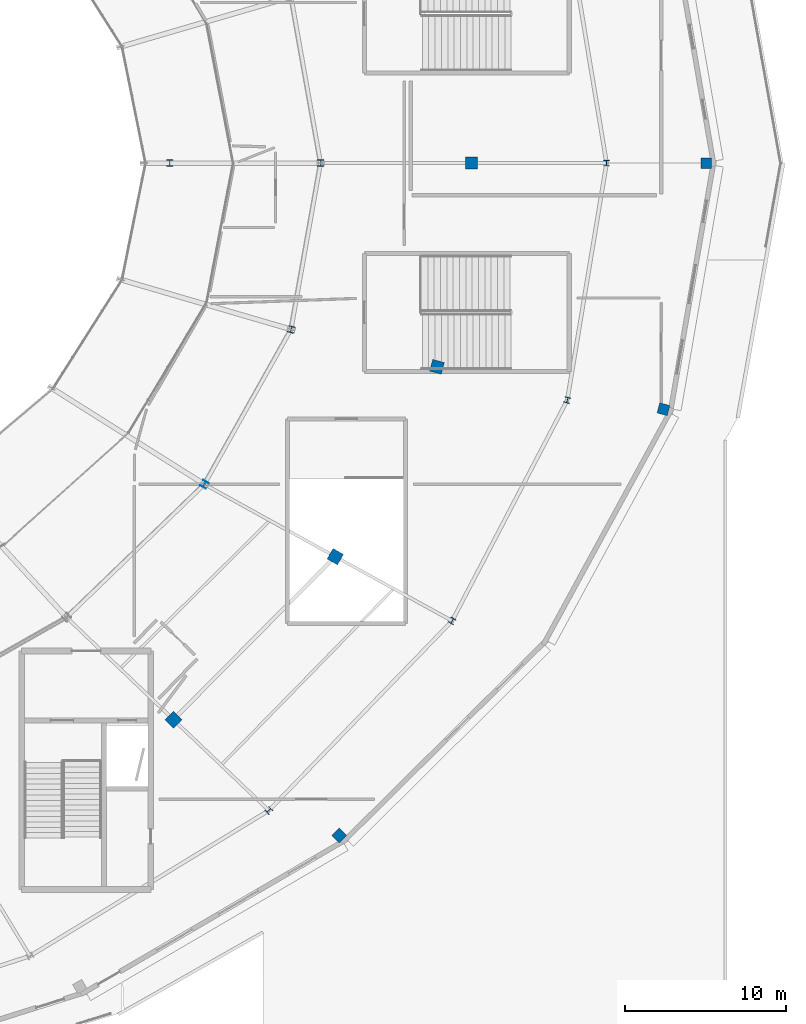
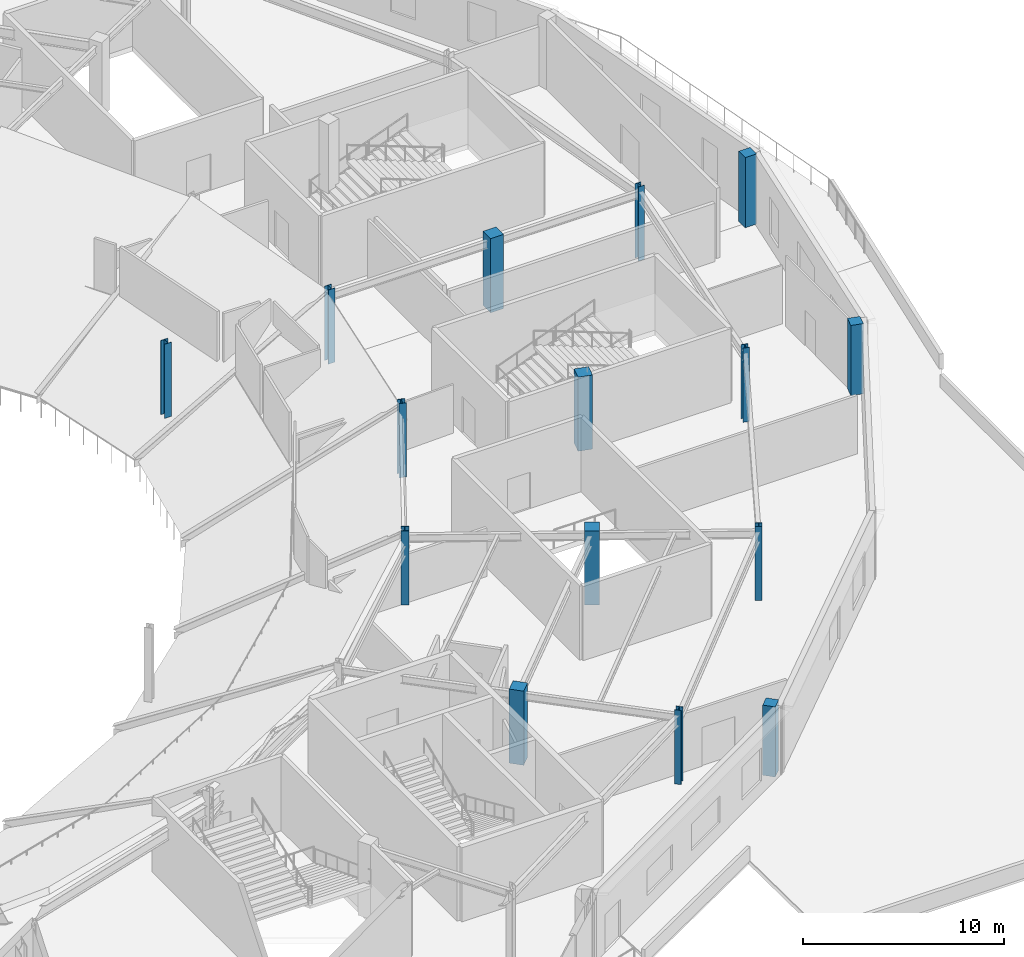
# One storey, part 11 of 63: 15 columns.
"""IFC4 building model written with IfcOpenShell, lengths in metres."""

import ifcopenshell
import ifcopenshell.guid

model = None  # the IFC model being written
_history = None  # IfcOwnerHistory: only IFC2X3 demands one
_inside = {}  # id of a spatial element -> (the spatial element, [elements in it])
_under = {}  # id of a project, library or spatial element -> (it, [spatial elements below it])
_declared = {}  # id of a project -> (the project, [libraries it declares])
_typed = {}  # id of a type object -> (the type object, [elements of that type])
_made_of = {}  # id of a material, layer set ... -> (it, [elements and type objects made of it])


def new_model(schema):
    """Start an empty IFC model of exactly this schema.

    Asked for "IFC4X3", IfcOpenShell would pick the latest addendum, in which some entities
    have other attributes; the version numbers below select the first issue.
    IFC2X3 requires an IfcOwnerHistory on every rooted entity: one is made here for all.
    """
    global model, _history
    if schema == "IFC4X3":
        model = ifcopenshell.file(schema_version=(4, 3, 0, 0))
    else:
        model = ifcopenshell.file(schema=schema)
    _inside.clear()
    _under.clear()
    _declared.clear()
    _typed.clear()
    _made_of.clear()
    _history = None
    if model.schema == "IFC2X3":
        org = make("IfcOrganization", Name="unknown")
        user = make(
            "IfcPersonAndOrganization",
            ThePerson=make("IfcPerson", FamilyName="unknown"),
            TheOrganization=org,
        )
        app = make(
            "IfcApplication",
            ApplicationDeveloper=org,
            Version="unknown",
            ApplicationFullName="unknown",
            ApplicationIdentifier="unknown",
        )
        _history = make(
            "IfcOwnerHistory",
            OwningUser=user,
            OwningApplication=app,
            ChangeAction="ADDED",
            CreationDate=0,
        )
    return model


def make(cls, **values):
    """One entity of the class cls with the attributes given. An attribute that is None is left unset."""
    return model.create_entity(
        cls, **{name: value for name, value in values.items() if value is not None}
    )


def rooted(cls, **values):
    """An entity with a GlobalId (a new one), such as an element, a storey or a relation."""
    return make(cls, GlobalId=ifcopenshell.guid.new(), OwnerHistory=_history, **values)


def si_unit(unit_type, name, prefix=None):
    """IfcSIUnit, for example si_unit("LENGTHUNIT", "METRE", prefix="MILLI")."""
    return make("IfcSIUnit", UnitType=unit_type, Prefix=prefix, Name=name)


def assignment(units):
    """IfcUnitAssignment: the units of a project."""
    return None if units is None else make("IfcUnitAssignment", Units=units)


def point(xyz):
    """IfcCartesianPoint."""
    return None if xyz is None else make("IfcCartesianPoint", Coordinates=xyz)


def direction(xyz):
    """IfcDirection."""
    return None if xyz is None else make("IfcDirection", DirectionRatios=xyz)


def frame(location, z_axis=None, x_axis=None):
    """IfcAxis2Placement3D, a coordinate frame: its origin and axes. An axis left out is left unset."""
    return make(
        "IfcAxis2Placement3D",
        Location=point(location),
        Axis=direction(z_axis),
        RefDirection=direction(x_axis),
    )


def frame_2d(location, x_axis=None):
    """IfcAxis2Placement2D, a coordinate frame in the plane: its origin and x axis."""
    return make(
        "IfcAxis2Placement2D", Location=point(location), RefDirection=direction(x_axis)
    )


def origin():
    """The frame at (0, 0, 0) with its axes left unset."""
    return frame((0.0, 0.0, 0.0))


def origin_2d():
    """The frame at (0, 0) in the plane with its x axis left unset."""
    return frame_2d((0.0, 0.0))


def place(relative_to, where):
    """IfcLocalPlacement: puts the frame where relative to a parent placement (None: the world)."""
    return make(
        "IfcLocalPlacement", PlacementRelTo=relative_to, RelativePlacement=where
    )


def context(
    kind, dimensions, precision=None, world=None, true_north=None, identifier=None
):
    """IfcGeometricRepresentationContext, for example the 3D "Model" context."""
    return make(
        "IfcGeometricRepresentationContext",
        ContextIdentifier=identifier,
        ContextType=kind,
        CoordinateSpaceDimension=dimensions,
        Precision=precision,
        WorldCoordinateSystem=world,
        TrueNorth=true_north,
    )


def subcontext(parent, identifier, kind, view, scale=None):
    """IfcGeometricRepresentationSubContext, for example "Body" below "Model"."""
    return make(
        "IfcGeometricRepresentationSubContext",
        ContextIdentifier=identifier,
        ContextType=kind,
        ParentContext=parent,
        TargetScale=scale,
        TargetView=view,
    )


def project(units=None, contexts=None):
    """IfcProject with its units and contexts."""
    return rooted(
        "IfcProject",
        Name="project",
        RepresentationContexts=contexts,
        UnitsInContext=assignment(units),
    )


def spatial(cls, under=None, at=None, **own):
    """A site, building, storey or space (cls), placed at a placement, below another one or the project."""
    s = rooted(cls, ObjectPlacement=at, **own)
    if under is not None:
        _under.setdefault(under.id(), (under, []))[1].append(s)
    return s


def profile(cls, at=None, kind="AREA", **sizes):
    """A parametric profile (cls). Its sizes go by their IFC names, for example OverallWidth=200.0."""
    return make(cls, ProfileType=kind, Position=at, **sizes)


def rectangle(**sizes):
    """IfcRectangleProfileDef."""
    return profile("IfcRectangleProfileDef", **sizes)


def i_section(**sizes):
    """IfcIShapeProfileDef."""
    return profile("IfcIShapeProfileDef", **sizes)


def extrude(swept, where, along, depth):
    """IfcExtrudedAreaSolid: the profile swept, set in the frame where, extruded along a direction by depth."""
    return make(
        "IfcExtrudedAreaSolid",
        SweptArea=swept,
        Position=where,
        ExtrudedDirection=direction(along),
        Depth=depth,
    )


def shape(context_of_items, identifier, shape_type, items):
    """IfcShapeRepresentation: the items that make up one representation, for example the "Body"."""
    return make(
        "IfcShapeRepresentation",
        ContextOfItems=context_of_items,
        RepresentationIdentifier=identifier,
        RepresentationType=shape_type,
        Items=items,
    )


def material(Name=None, Category=None):
    """IfcMaterial."""
    return make("IfcMaterial", Name=Name, Category=Category)


def material_profile(
    of_material, cross_section, Name=None, Category=None, Priority=None
):
    """IfcMaterialProfile: a cross section and its material."""
    return make(
        "IfcMaterialProfile",
        Name=Name,
        Material=of_material,
        Profile=cross_section,
        Priority=Priority,
        Category=Category,
    )


def profile_set(profiles, Name=None, composite=None):
    """IfcMaterialProfileSet."""
    return make(
        "IfcMaterialProfileSet",
        Name=Name,
        MaterialProfiles=profiles,
        CompositeProfile=composite,
    )


def made_of(thing, what):
    """Note that an element or type object is made of a material, layer set ...; save() writes the relation."""
    if what is not None:
        _made_of.setdefault(what.id(), (what, []))[1].append(thing)
    return thing


def type_object(cls, material=None, **own):
    """A type object (cls), such as IfcWallType, which elements share."""
    return made_of(rooted(cls, **own), material)


def element(
    cls,
    number,
    at=None,
    inside=None,
    cuts=None,
    type_object=None,
    material=None,
    context=None,
    identifier="Body",
    shape_type=None,
    held_by="IfcProductDefinitionShape",
    body=None,
    shapes=None,
    **own,
):
    """One element of the class cls, such as IfcWall. Its Tag is "e" and its number.

    at: its placement. inside: the storey or other place that contains it. cuts: it is an
    opening in that element (IfcRelVoidsElement). A single representation is given by context,
    identifier, shape_type and body (its items); several are given by shapes. held_by: the class
    of the entity that holds the representations. save() writes the other relations.
    """
    e = rooted(cls, Tag="e%d" % number, ObjectPlacement=at, **own)
    if body is not None:
        shapes = [shape(context, identifier, shape_type, body)]
    if shapes is not None:
        e.Representation = make(held_by, Representations=shapes)
    if inside is not None:
        _inside.setdefault(inside.id(), (inside, []))[1].append(e)
    if cuts is not None:
        rooted(
            "IfcRelVoidsElement", RelatingBuildingElement=cuts, RelatedOpeningElement=e
        )
    if type_object is not None:
        _typed.setdefault(type_object.id(), (type_object, []))[1].append(e)
    return made_of(e, material)


def aggregate(whole, parts):
    """IfcRelAggregates: a whole, such as a stair, and the parts it consists of."""
    return rooted("IfcRelAggregates", RelatingObject=whole, RelatedObjects=parts)


def save(model, path):
    """Write the relations noted so far, then the file.

    IfcRelAggregates (storeys below a building ...), IfcRelContainedInSpatialStructure (elements
    in a storey), IfcRelDefinesByType, IfcRelAssociatesMaterial and IfcRelDeclares: one each for
    every whole, place, type object, material and project.
    """
    for whole, parts in _under.values():
        aggregate(whole, parts)
    for where, things in _inside.values():
        rooted(
            "IfcRelContainedInSpatialStructure",
            RelatedElements=things,
            RelatingStructure=where,
        )
    for kind, things in _typed.values():
        rooted("IfcRelDefinesByType", RelatedObjects=things, RelatingType=kind)
    for what, things in _made_of.values():
        rooted("IfcRelAssociatesMaterial", RelatedObjects=things, RelatingMaterial=what)
    for by, libraries in _declared.values():
        rooted("IfcRelDeclares", RelatingContext=by, RelatedDefinitions=libraries)
    model.write(path)


model = new_model("IFC4")

# Units and contexts
model_context = context("Model", 3, precision=1e-05, world=origin(), true_north=direction((0.0, 1.0)))
body_context = subcontext(model_context, "Body", "Model", "MODEL_VIEW")
ifc_project = project(units=[si_unit("LENGTHUNIT", "METRE"), si_unit("AREAUNIT", "SQUARE_METRE"), si_unit("VOLUMEUNIT", "CUBIC_METRE"), si_unit("PLANEANGLEUNIT", "RADIAN"), si_unit("MASSUNIT", "GRAM", prefix="KILO")], contexts=[model_context])

# Site, building, storey
site_placement = place(None, origin())
site = spatial("IfcSite", under=ifc_project, at=site_placement, CompositionType="ELEMENT")
building_placement = place(site_placement, origin())
building = spatial("IfcBuilding", under=site, at=building_placement, Name="Kalgoora Escarpment Arena", CompositionType="ELEMENT")
storey_placement = place(building_placement, frame((0.0, 0.0, 14.39990234375)))
storey = spatial("IfcBuildingStorey", under=building, at=storey_placement, Name="L03", CompositionType="ELEMENT", Elevation=14.39990234375)

# Columns
ifc_material_1 = material(Name="Structural steel Grade 350 (350 MPa)", Category="steel")
ifc_material_profile_1 = material_profile(ifc_material_1, i_section(OverallWidth=0.35009765625, OverallDepth=0.35009765625, WebThickness=0.013916015625, FlangeThickness=0.02392578125, at=origin_2d()))
ifc_profile_set_1 = profile_set([ifc_material_profile_1], Name="Structural steel Grade 350 (350 MPa)")
column_type_1 = type_object("IfcColumnType", Name="COL-COL-350WC197", PredefinedType="COLUMN", material=ifc_profile_set_1)
for number, where, z_axis, x_axis, name in (
    (1, (164.199951171875, 64.0, 0.0), (0.0, 0.0, 1.0), (1.0, 0.0, 0.0), "L03 structural column COL-RCONC2-R01"),
    (2, (143.17041015625, 23.69482421875, 0.0), (0.0, 0.0, 1.0), (0.707106781187, -0.707106781187, 0.0), "L03 structural column COL-RCONC2-R22"),
    (3, (154.58056640625, 35.5, 0.0), (0.0, 0.0, 1.0), (0.866025403784, -0.5, 0.0), "L03 structural column COL-RCONC2-R23"),
    (4, (161.75341796875, 49.247314453125, 0.0), (0.0, 0.0, 1.0), (0.965925826289, -0.258819045103, 0.0), "L03 structural column COL-RCONC2-R24"),
):
    element("IfcColumn", number, at=place(storey_placement, frame(where, z_axis=z_axis, x_axis=x_axis)), inside=storey, type_object=column_type_1, Name=name, PredefinedType="COLUMN", context=body_context, shape_type="SweptSolid", body=[
        extrude(i_section(OverallWidth=0.35009765625, OverallDepth=0.35009765625, WebThickness=0.013916015625, FlangeThickness=0.02392578125, at=origin_2d()), origin(), (0.0, 0.0, 1.0), 4.5),
    ])
ifc_material_2 = material(Name="Structural steel Grade 350 (350 MPa)", Category="steel")
ifc_material_profile_2 = material_profile(ifc_material_2, i_section(OverallWidth=0.39990234375, OverallDepth=0.39990234375, WebThickness=0.01611328125, FlangeThickness=0.028076171875, at=origin_2d()))
ifc_profile_set_2 = profile_set([ifc_material_profile_2], Name="Structural steel Grade 350 (350 MPa)")
column_type_2 = type_object("IfcColumnType", Name="COL-COL-400WC212", PredefinedType="COLUMN", material=ifc_profile_set_2)
for number, where, z_axis, x_axis, name in (
    (5, (146.39990234375, 64.0, 0.0), (0.0, 0.0, 1.0), (1.0, 0.0, 0.0), "L03 structural column COL-RMAIN-R01"),
    (6, (139.165283203125, 44.0, 0.0), (0.0, 0.0, 1.0), (0.866025403784, -0.5, 0.0), "L03 structural column COL-RMAIN-R23"),
    (7, (144.56005859375, 53.647216796875, 0.0), (0.0, 0.0, 1.0), (0.965925826289, -0.258819045103, 0.0), "L03 structural column COL-RMAIN-R24"),
    (8, (137.0, 64.0, 0.0), (0.0, 0.0, 1.0), (1.0, 0.0, 0.0), "L03 structural column COL-TSPINE-S01"),
):
    element("IfcColumn", number, at=place(storey_placement, frame(where, z_axis=z_axis, x_axis=x_axis)), inside=storey, type_object=column_type_2, Name=name, PredefinedType="COLUMN", context=body_context, shape_type="SweptSolid", body=[
        extrude(i_section(OverallWidth=0.39990234375, OverallDepth=0.39990234375, WebThickness=0.01611328125, FlangeThickness=0.028076171875, at=origin_2d()), origin(), (0.0, 0.0, 1.0), 4.5),
    ])
ifc_material_3 = material(Name="Concrete N50 (fc' 50 MPa)", Category="concrete")
ifc_material_profile_3 = material_profile(ifc_material_3, rectangle(XDim=0.64990234375, YDim=0.64990234375, at=origin_2d()))
ifc_profile_set_3 = profile_set([ifc_material_profile_3], Name="Concrete N50 (fc' 50 MPa)")
column_type_3 = type_object("IfcColumnType", Name="COL-COL-RC650x650", PredefinedType="COLUMN", material=ifc_profile_set_3)
for number, where, z_axis, x_axis, name in (
    (9, (170.39990234375, 64.0, 0.0), (0.0, 0.0, 1.0), (1.0, 0.0, 0.0), "L03 structural column COL-RBASE1-R01"),
    (10, (147.55419921875, 22.139404296875, 0.0), (0.0, 0.0, 1.0), (0.707106781187, -0.707106781187, 0.0), "L03 structural column COL-RBASE1-R22"),
    (11, (167.7421875, 48.677978515625, 0.0), (0.0, 0.0, 1.0), (0.965925826289, -0.258819045103, 0.0), "L03 structural column COL-RBASE1-R24"),
):
    element("IfcColumn", number, at=place(storey_placement, frame(where, z_axis=z_axis, x_axis=x_axis)), inside=storey, type_object=column_type_3, Name=name, PredefinedType="COLUMN", context=body_context, shape_type="SweptSolid", body=[
        extrude(rectangle(XDim=0.64990234375, YDim=0.64990234375, at=origin_2d()), origin(), (0.0, 0.0, 1.0), 4.260009765625),
    ])
ifc_material_4 = material(Name="Concrete N50 (fc' 50 MPa)", Category="concrete")
ifc_material_profile_4 = material_profile(ifc_material_4, rectangle(XDim=0.75, YDim=0.75, at=origin_2d()))
ifc_profile_set_4 = profile_set([ifc_material_profile_4], Name="Concrete N50 (fc' 50 MPa)")
column_type_4 = type_object("IfcColumnType", Name="COL-COL-RC750x750", PredefinedType="COLUMN", material=ifc_profile_set_4)
for number, where, z_axis, x_axis, name in (
    (12, (155.800048828125, 64.0, 0.0), (0.0, 0.0, 1.0), (1.0, 0.0, 0.0), "L03 structural column COL-RCONC1-R01"),
    (13, (137.230712890625, 29.351806640625, 0.0), (0.0, 0.0, 1.0), (0.707106781187, -0.707106781187, 0.0), "L03 structural column COL-RCONC1-R22"),
    (14, (147.305908203125, 39.5, 0.0), (0.0, 0.0, 1.0), (0.866025403784, -0.5, 0.0), "L03 structural column COL-RCONC1-R23"),
    (15, (153.6396484375, 51.31787109375, 0.0), (0.0, 0.0, 1.0), (0.965925826289, -0.258819045103, 0.0), "L03 structural column COL-RCONC1-R24"),
):
    element("IfcColumn", number, at=place(storey_placement, frame(where, z_axis=z_axis, x_axis=x_axis)), inside=storey, type_object=column_type_4, Name=name, PredefinedType="COLUMN", context=body_context, shape_type="SweptSolid", body=[
        extrude(rectangle(XDim=0.75, YDim=0.75, at=origin_2d()), origin(), (0.0, 0.0, 1.0), 4.5),
    ])

save(model, "model.ifc")
